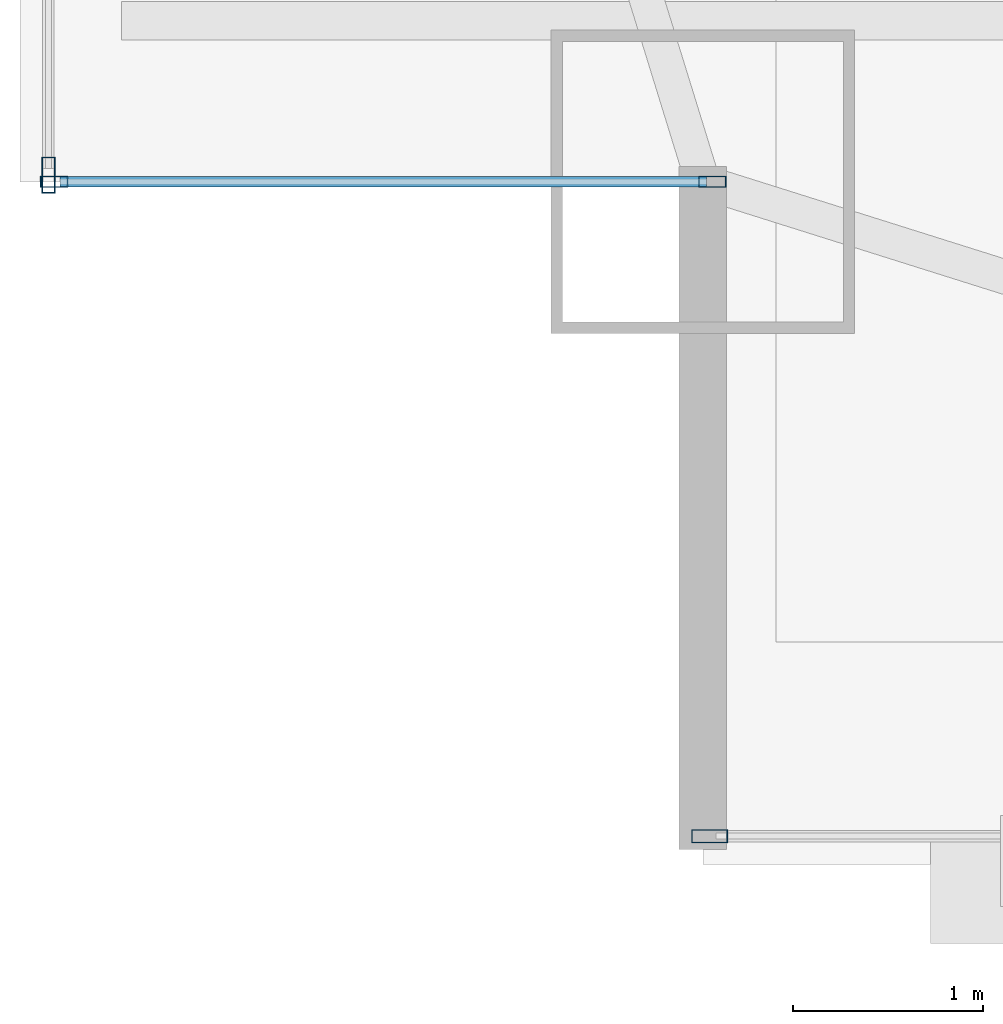
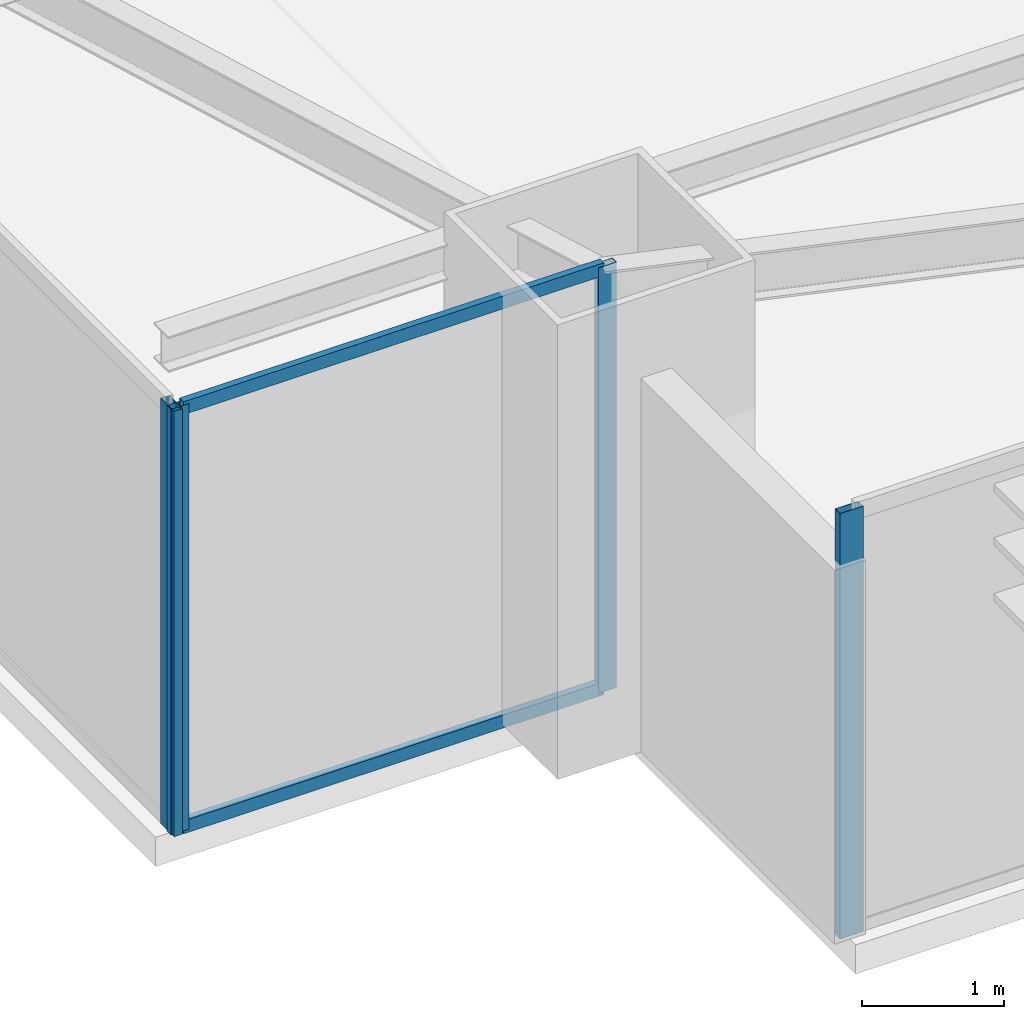
# One storey, part 3 of 31: 6 members, 3 elements without a shape of their own.
"""IFC4 building model written with IfcOpenShell, lengths in metres."""

from ifc_helpers import new_model, si_unit, direction, frame, origin, origin_2d, place, context, subcontext, project, spatial, hollow_rectangle, extrude, source, transform, mapped, material, layer, layer_set, material_profile, profile_set, type_object, type_shapes, element, aggregate, save


model = new_model("IFC4")

# Units and contexts
model_context = context("Model", 3, precision=1e-05, world=origin(), true_north=direction((0.0, 1.0)))
body_context = subcontext(model_context, "Body", "Model", "MODEL_VIEW")
ifc_project = project(units=[si_unit("LENGTHUNIT", "METRE"), si_unit("AREAUNIT", "SQUARE_METRE"), si_unit("VOLUMEUNIT", "CUBIC_METRE"), si_unit("PLANEANGLEUNIT", "RADIAN"), si_unit("MASSUNIT", "GRAM", prefix="KILO")], contexts=[model_context])

# Site, building, storey
site_placement = place(None, origin())
site = spatial("IfcSite", under=ifc_project, at=site_placement, CompositionType="ELEMENT")
building_placement = place(site_placement, origin())
building = spatial("IfcBuilding", under=site, at=building_placement, Name="Varnel Quay Broadcast Tower", CompositionType="ELEMENT")
storey_placement = place(building_placement, frame((0.0, 0.0, 51.0)))
storey = spatial("IfcBuildingStorey", under=building, at=storey_placement, Name="L11", CompositionType="ELEMENT", Elevation=51.0)

# Curtain wall, member
ifc_material = material(Name="Anodised Bronze Aluminium 6063-T6", Category="aluminium")
ifc_layer_1 = layer(ifc_material, 0.18994140625, Name="Anodised Bronze Aluminium 6063-T6")
ifc_layer_set_1 = layer_set([ifc_layer_1], Name="Anodised Bronze Aluminium 6063-T6")
curtain_wall_type_1 = type_object("IfcCurtainWallType", Name="CW_LowerTower", PredefinedType="NOTDEFINED", material=ifc_layer_set_1)
curtain_wall_1_placement = place(storey_placement, origin())
curtain_wall_1 = element("IfcCurtainWall", 1, at=curtain_wall_1_placement, inside=storey, type_object=curtain_wall_type_1, Name="L11 South Unitised Curtain Wall 1", PredefinedType="NOTDEFINED")
ifc_material_profile_1 = material_profile(ifc_material, hollow_rectangle(XDim=0.070068359375, YDim=0.18994140625, WallThickness=0.00390625, at=origin_2d()), Name="ALU70X190X4")
ifc_profile_set_1 = profile_set([ifc_material_profile_1], Name="Anodised Bronze Aluminium 6063-T6")
member_type_1 = type_object("IfcMemberType", Name="Mull_CWS-02", PredefinedType="MULLION", material=ifc_profile_set_1)
shared_shape_1 = source(origin(), body_context, "Body", "SweptSolid", [
    extrude(hollow_rectangle(XDim=0.070068359375, YDim=0.18994140625, WallThickness=0.00390625, at=origin_2d()), origin(), (0.0, 0.0, 1.0), 3.64990234375),
])
type_shapes(member_type_1, [shared_shape_1])
member_1_placement = place(storey_placement, frame((5.635009765625, 1.35009765625, 0.0), z_axis=(0.0, 0.0, 1.0), x_axis=(0.0, 1.0, 0.0)))
member_1 = element("IfcMember", 2, at=member_1_placement, type_object=member_type_1, Name="CWS-02 mullion 1", PredefinedType="MULLION", context=body_context, shape_type="MappedRepresentation", body=[
    mapped(shared_shape_1, transform((0.0, 0.0, 0.0), x_axis=(1.0, 0.0, 0.0), y_axis=(0.0, 1.0, 0.0), z_axis=(0.0, 0.0, 1.0), scale=1.0)),
])
aggregate(curtain_wall_1, [member_1])

curtain_wall_2_placement = place(storey_placement, origin())
curtain_wall_2 = element("IfcCurtainWall", 3, at=curtain_wall_2_placement, inside=storey, type_object=curtain_wall_type_1, Name="L11 West Unitised Curtain Wall", PredefinedType="NOTDEFINED")
member_2_placement = place(storey_placement, frame((2.14990234375, 4.8349609375, 0.0), z_axis=(0.0, 0.0, 1.0), x_axis=(-1.0, 0.0, 0.0)))
member_2 = element("IfcMember", 4, at=member_2_placement, type_object=member_type_1, Name="CWS-02 mullion 1", PredefinedType="MULLION", context=body_context, shape_type="MappedRepresentation", body=[
    mapped(shared_shape_1, transform((0.0, 0.0, 0.0), x_axis=(1.0, 0.0, 0.0), y_axis=(0.0, 1.0, 0.0), z_axis=(0.0, 0.0, 1.0), scale=1.0)),
])
aggregate(curtain_wall_2, [member_2])

# Curtain wall, members
ifc_layer_2 = layer(ifc_material, 0.18994140625, Name="Anodised Bronze Aluminium 6063-T6")
ifc_layer_set_2 = layer_set([ifc_layer_2], Name="Anodised Bronze Aluminium 6063-T6")
curtain_wall_type_2 = type_object("IfcCurtainWallType", Name="CW_NotchCorner", PredefinedType="NOTDEFINED", material=ifc_layer_set_2)
curtain_wall_3_placement = place(storey_placement, origin())
curtain_wall_3 = element("IfcCurtainWall", 5, at=curtain_wall_3_placement, inside=storey, type_object=curtain_wall_type_2, Name="L11 SW Notch Curtain Wall", PredefinedType="NOTDEFINED")
ifc_material_profile_2 = material_profile(ifc_material, hollow_rectangle(XDim=0.06005859375, YDim=0.14501953125, WallThickness=0.00341796875, at=origin_2d()), Name="ALU60X145X3.5")
ifc_profile_set_2 = profile_set([ifc_material_profile_2], Name="Anodised Bronze Aluminium 6063-T6")
member_type_2 = type_object("IfcMemberType", Name="Mull_CWS-04", PredefinedType="MULLION", material=ifc_profile_set_2)
shared_shape_2 = source(origin(), body_context, "Body", "SweptSolid", [
    extrude(hollow_rectangle(XDim=0.06005859375, YDim=0.14501953125, WallThickness=0.00341796875, at=origin_2d()), origin(), (0.0, 0.0, 1.0), 3.64990234375),
])
type_shapes(member_type_2, [shared_shape_2])
member_3_placement = place(storey_placement, frame((2.179931640625, 4.800048828125, 0.0), z_axis=(0.0, 0.0, 1.0), x_axis=(0.0, 1.0, 0.0)))
member_3 = element("IfcMember", 6, at=member_3_placement, type_object=member_type_2, Name="CWS-04 mullion 1", PredefinedType="MULLION", context=body_context, shape_type="MappedRepresentation", body=[
    mapped(shared_shape_2, transform((0.0, 0.0, 0.0), x_axis=(1.0, 0.0, 0.0), y_axis=(0.0, 1.0, 0.0), z_axis=(0.0, 0.0, 1.0), scale=1.0)),
])
member_4_placement = place(storey_placement, frame((5.64990234375, 4.800048828125, 0.0), z_axis=(0.0, 0.0, 1.0), x_axis=(0.0, 1.0, 0.0)))
member_4 = element("IfcMember", 7, at=member_4_placement, type_object=member_type_2, Name="CWS-04 mullion 2", PredefinedType="MULLION", context=body_context, shape_type="MappedRepresentation", body=[
    mapped(shared_shape_2, transform((0.0, 0.0, 0.0), x_axis=(1.0, 0.0, 0.0), y_axis=(0.0, 1.0, 0.0), z_axis=(0.0, 0.0, 1.0), scale=1.0)),
])
ifc_material_profile_3 = material_profile(ifc_material, hollow_rectangle(XDim=0.054931640625, YDim=0.110107421875, WallThickness=0.0029296875, at=origin_2d()), Name="ALU55X110X3")
ifc_profile_set_3 = profile_set([ifc_material_profile_3], Name="Anodised Bronze Aluminium 6063-T6")
member_type_3 = type_object("IfcMemberType", Name="Tran_CWS-04", PredefinedType="USERDEFINED", material=ifc_profile_set_3)
shared_shape_3 = source(origin(), body_context, "Body", "SweptSolid", [
    extrude(hollow_rectangle(XDim=0.054931640625, YDim=0.110107421875, WallThickness=0.0029296875, at=origin_2d()), origin(), (0.0, 0.0, 1.0), 3.41015625),
])
type_shapes(member_type_3, [shared_shape_3])
member_5_placement = place(storey_placement, frame((2.2099609375, 4.800048828125, 0.027587890625), z_axis=(1.0, 0.0, 0.0), x_axis=(0.0, 1.0, 0.0)))
member_5 = element("IfcMember", 8, at=member_5_placement, type_object=member_type_3, Name="CWS-04 transom 1.1", ObjectType="TRANSOM", PredefinedType="USERDEFINED", context=body_context, shape_type="MappedRepresentation", body=[
    mapped(shared_shape_3, transform((0.0, 0.0, 0.0), x_axis=(1.0, 0.0, 0.0), y_axis=(0.0, 1.0, 0.0), z_axis=(0.0, 0.0, 1.0), scale=1.0)),
])
member_6_placement = place(storey_placement, frame((2.2099609375, 4.800048828125, 3.62255859375), z_axis=(1.0, 0.0, 0.0), x_axis=(0.0, 1.0, 0.0)))
member_6 = element("IfcMember", 9, at=member_6_placement, type_object=member_type_3, Name="CWS-04 transom 1.2", ObjectType="TRANSOM", PredefinedType="USERDEFINED", context=body_context, shape_type="MappedRepresentation", body=[
    mapped(shared_shape_3, transform((0.0, 0.0, 0.0), x_axis=(1.0, 0.0, 0.0), y_axis=(0.0, 1.0, 0.0), z_axis=(0.0, 0.0, 1.0), scale=1.0)),
])
aggregate(curtain_wall_3, [member_3, member_4, member_5, member_6])

save(model, "model.ifc")
